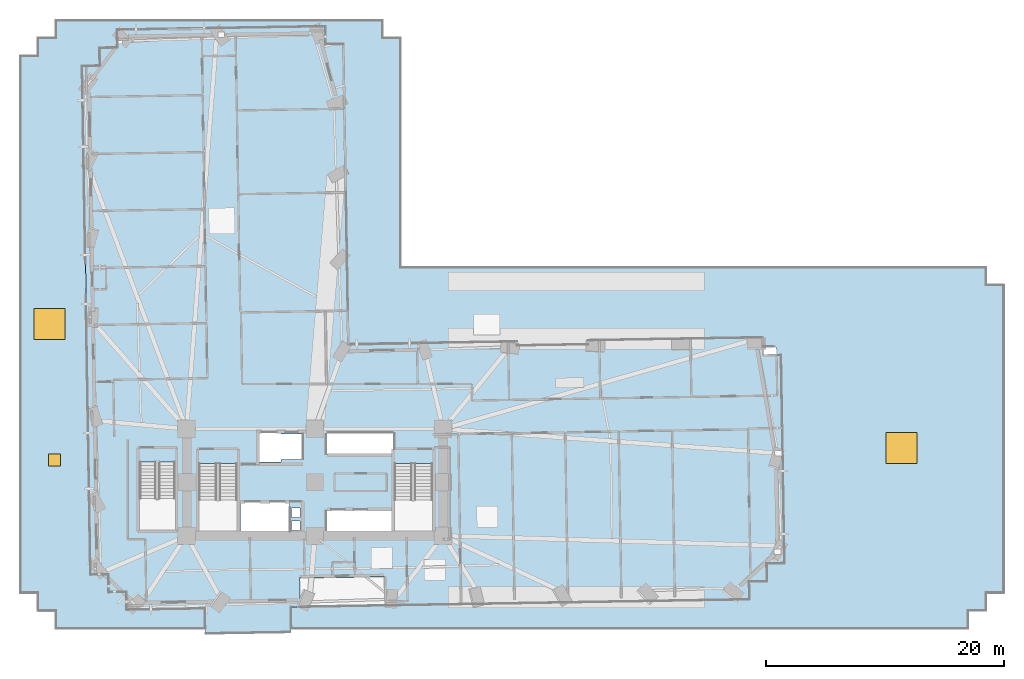
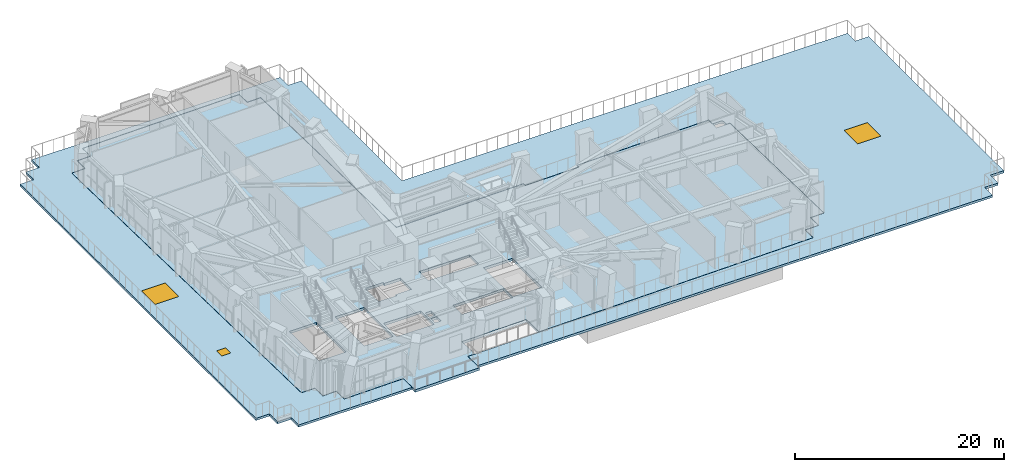
# One storey, part 4 of 17: 2 slabs, 2 windows, 1 door, 3 openings.
"""IFC4 building model written with IfcOpenShell, lengths in metres."""

from ifc_helpers import new_model, si_unit, direction, frame, origin, origin_2d, place, context, subcontext, project, spatial, polyline, rectangle, outline, extrude, material, layer, layer_set, type_object, element, fill, save


model = new_model("IFC4")

# Units and contexts
model_context = context("Model", 3, precision=1e-05, world=origin(), true_north=direction((0.0, 1.0)))
body_context = subcontext(model_context, "Body", "Model", "MODEL_VIEW")
ifc_project = project(units=[si_unit("LENGTHUNIT", "METRE"), si_unit("AREAUNIT", "SQUARE_METRE"), si_unit("VOLUMEUNIT", "CUBIC_METRE"), si_unit("PLANEANGLEUNIT", "RADIAN"), si_unit("MASSUNIT", "GRAM", prefix="KILO")], contexts=[model_context])

# Site, building, storey
site_placement = place(None, origin())
site = spatial("IfcSite", under=ifc_project, at=site_placement, CompositionType="ELEMENT")
building_placement = place(site_placement, origin())
building = spatial("IfcBuilding", under=site, at=building_placement, Name="Gaonmaruhae Medical Tower", CompositionType="ELEMENT")
storey_placement = place(building_placement, frame((0.0, 0.0, 27.0)))
storey = spatial("IfcBuildingStorey", under=building, at=storey_placement, Name="L05", CompositionType="ELEMENT", Elevation=27.0)

# Slab
ifc_material_1 = material(Name="Concrete C40/50", Category="concrete")
ifc_layer_1 = layer(ifc_material_1, 0.300048828125)
ifc_layer_set_1 = layer_set([ifc_layer_1], Name="Concrete C40/50")
slab_type_1 = type_object("IfcSlabType", Name="FS-300 Refuge & Plant Heavy Floor Slab", PredefinedType="FLOOR", material=ifc_layer_set_1)
slab_1_placement = place(storey_placement, frame((0.0, 0.0, -0.300048828125)))
element("IfcSlab", 1, at=slab_1_placement, inside=storey, type_object=slab_type_1, Name="L05 Structural Slab 1", PredefinedType="FLOOR", context=body_context, shape_type="SweptSolid", body=[
    extrude(outline(polyline([(64.033935546875, 23.00439453125), (64.32421875, 5.506591796875), (62.82421875, 5.48193359375), (62.84912109375, 3.982177734375), (61.349365234375, 3.957275390625), (61.374267578125, 2.45751953125), (30.764404296875, 1.94970703125), (30.724609375, 4.349609375), (23.525634765625, 4.22998046875), (23.5654296875, 1.83056640625), (22.765625, 1.817138671875), (22.802001953125, -0.382568359375), (15.60302734375, -0.501953125), (15.566650390625, 1.69775390625), (8.9814453125, 1.588623046875), (8.95654296875, 3.08837890625), (7.456787109375, 3.063720703125), (7.431884765625, 4.5634765625), (5.93212890625, 4.53857421875), (5.222412109375, 47.33251953125), (6.722412109375, 47.357421875), (6.697509765625, 48.857421875), (8.197265625, 48.882080078125), (8.17236328125, 50.3818359375), (25.669921875, 50.672119140625), (25.69482421875, 49.17236328125), (27.194580078125, 49.197265625), (27.614013671875, 23.900634765625), (41.81201171875, 24.135986328125), (41.81787109375, 23.796142578125), (47.81689453125, 23.8955078125), (47.811279296875, 24.235595703125), (62.50927734375, 24.479248046875), (62.5341796875, 22.9794921875), (64.033935546875, 23.00439453125)]), holes=[polyline([(23.550048828125, 8.25), (22.85009765625, 8.25), (22.85009765625, 9.050048828125), (23.550048828125, 9.050048828125), (23.550048828125, 8.25)]), polyline([(25.824951171875, 9.925048828125), (31.425048828125, 9.925048828125), (31.425048828125, 8.175048828125), (25.824951171875, 8.175048828125), (25.824951171875, 9.925048828125)]), polyline([(22.64990234375, 10.625), (22.64990234375, 8.074951171875), (18.550048828125, 8.074951171875), (18.550048828125, 10.625), (22.64990234375, 10.625)]), polyline([(23.550048828125, 9.35009765625), (22.85009765625, 9.35009765625), (22.85009765625, 10.14990234375), (23.550048828125, 10.14990234375), (23.550048828125, 9.35009765625)]), polyline([(15.050048828125, 13.889892578125), (18.25, 13.889892578125), (18.25, 8.300048828125), (15.050048828125, 8.300048828125), (15.050048828125, 13.889892578125)]), polyline([(31.5, 13.889892578125), (34.699951171875, 13.889892578125), (34.699951171875, 8.300048828125), (31.5, 8.300048828125), (31.5, 13.889892578125)]), polyline([(10.050048828125, 13.989990234375), (13.050048828125, 13.989990234375), (13.050048828125, 8.300048828125), (10.050048828125, 8.300048828125), (10.050048828125, 13.989990234375)]), polyline([(21.949951171875, 14.02490234375), (19.949951171875, 14.02490234375), (19.949951171875, 16.574951171875), (21.949951171875, 16.574951171875), (21.949951171875, 16.375), (23.72509765625, 16.375), (23.72509765625, 14.22509765625), (21.949951171875, 14.22509765625), (21.949951171875, 14.02490234375)]), polyline([(31.425048828125, 16.425048828125), (31.425048828125, 14.675048828125), (25.824951171875, 14.675048828125), (25.824951171875, 16.425048828125), (31.425048828125, 16.425048828125)])]), origin(), (0.0, 0.0, 1.0), 0.300048828125),
])

# Slab, openings, door, windows
ifc_layer_2 = layer(ifc_material_1, 0.260009765625)
ifc_layer_set_2 = layer_set([ifc_layer_2], Name="Concrete C40/50")
slab_type_2 = type_object("IfcSlabType", Name="RS-260 Shelter & Setback Roof Slab", PredefinedType="ROOF", material=ifc_layer_set_2)
slab_2_placement = place(storey_placement, frame((0.0, 0.0, -0.260009765625)))
slab_2 = element("IfcSlab", 2, at=slab_2_placement, inside=storey, type_object=slab_type_2, Name="Podium Roof Terrace Slab 1", PredefinedType="ROOF", context=body_context, shape_type="SweptSolid", body=[
    extrude(outline(polyline([(3.0, 1.5), (1.5, 1.5), (1.5, 3.0), (0.0, 3.0), (0.0, 48.199951171875), (1.5, 48.199951171875), (1.5, 49.699951171875), (3.0, 49.699951171875), (3.0, 51.199951171875), (30.5, 51.199951171875), (30.5, 49.699951171875), (32.0, 49.699951171875), (32.0, 30.39990234375), (81.300048828125, 30.39990234375), (81.300048828125, 28.89990234375), (82.800048828125, 28.89990234375), (82.800048828125, 3.0), (81.300048828125, 3.0), (81.300048828125, 1.5), (79.800048828125, 1.5), (79.800048828125, 0.0), (22.815673828125, 0.0), (22.785888671875, 1.797607421875), (23.56591796875, 1.810546875), (30.764892578125, 1.9296875), (61.37451171875, 2.4375), (61.37646484375, 2.4375), (61.37841796875, 2.43798828125), (61.38037109375, 2.4384765625), (61.382080078125, 2.439208984375), (61.384033203125, 2.43994140625), (61.385498046875, 2.44091796875), (61.38720703125, 2.442138671875), (61.388671875, 2.443603515625), (61.389892578125, 2.445068359375), (61.39111328125, 2.446533203125), (61.39208984375, 2.4482421875), (61.392822265625, 2.4501953125), (61.3935546875, 2.451904296875), (61.393798828125, 2.453857421875), (61.394287109375, 2.455810546875), (61.394287109375, 2.457763671875), (61.36962890625, 3.9375), (62.849609375, 3.962158203125), (62.8515625, 3.962158203125), (62.853515625, 3.96240234375), (62.855224609375, 3.962890625), (62.857177734375, 3.963623046875), (62.85888671875, 3.964599609375), (62.860595703125, 3.965576171875), (62.862060546875, 3.966796875), (62.863525390625, 3.96826171875), (62.86474609375, 3.9697265625), (62.865966796875, 3.97119140625), (62.866943359375, 3.972900390625), (62.867919921875, 3.974609375), (62.868408203125, 3.9765625), (62.868896484375, 3.978515625), (62.869140625, 3.98046875), (62.869140625, 3.982421875), (62.844482421875, 5.462158203125), (64.324462890625, 5.48681640625), (64.326416015625, 5.48681640625), (64.328369140625, 5.4873046875), (64.330078125, 5.48779296875), (64.33203125, 5.48828125), (64.333740234375, 5.4892578125), (64.33544921875, 5.490234375), (64.3369140625, 5.491455078125), (64.33837890625, 5.492919921875), (64.33984375, 5.494384765625), (64.3408203125, 5.495849609375), (64.341796875, 5.49755859375), (64.3427734375, 5.49951171875), (64.34326171875, 5.501220703125), (64.34375, 5.503173828125), (64.343994140625, 5.505126953125), (64.343994140625, 5.507080078125), (64.053955078125, 23.004638671875), (64.0537109375, 23.006591796875), (64.053466796875, 23.008544921875), (64.052978515625, 23.010498046875), (64.05224609375, 23.01220703125), (64.051513671875, 23.01416015625), (64.05029296875, 23.015625), (64.04931640625, 23.017333984375), (64.0478515625, 23.018798828125), (64.04638671875, 23.02001953125), (64.044921875, 23.021240234375), (64.043212890625, 23.022216796875), (64.041259765625, 23.02294921875), (64.039306640625, 23.023681640625), (64.03759765625, 23.02392578125), (64.03564453125, 23.0244140625), (64.03369140625, 23.0244140625), (63.64990234375, 23.01806640625), (63.64990234375, 23.5), (63.648681640625, 23.5244140625), (63.645263671875, 23.548828125), (63.63916015625, 23.572509765625), (63.631103515625, 23.595703125), (63.62060546875, 23.617919921875), (63.60791015625, 23.638916015625), (63.59326171875, 23.65869140625), (63.576904296875, 23.6767578125), (63.55859375, 23.693359375), (63.538818359375, 23.7080078125), (63.517822265625, 23.720458984375), (63.49560546875, 23.73095703125), (63.47265625, 23.7392578125), (63.44873046875, 23.7451171875), (63.424560546875, 23.748779296875), (63.39990234375, 23.75), (62.54150390625, 23.75), (62.529296875, 24.4794921875), (62.529296875, 24.481689453125), (62.52880859375, 24.4833984375), (62.5283203125, 24.4853515625), (62.527587890625, 24.4873046875), (62.52685546875, 24.489013671875), (62.525634765625, 24.49072265625), (62.5244140625, 24.4921875), (62.523193359375, 24.49365234375), (62.521728515625, 24.494873046875), (62.52001953125, 24.49609375), (62.518310546875, 24.4970703125), (62.5166015625, 24.497802734375), (62.514892578125, 24.49853515625), (62.512939453125, 24.498779296875), (62.510986328125, 24.499267578125), (62.509033203125, 24.499267578125), (47.81103515625, 24.255615234375), (47.80908203125, 24.25537109375), (47.80712890625, 24.255126953125), (47.80517578125, 24.254638671875), (47.803466796875, 24.25390625), (47.801513671875, 24.2529296875), (47.7998046875, 24.251953125), (47.79833984375, 24.250732421875), (47.796875, 24.24951171875), (47.795654296875, 24.248046875), (47.79443359375, 24.246337890625), (47.79345703125, 24.24462890625), (47.792724609375, 24.242919921875), (47.7919921875, 24.240966796875), (47.79150390625, 24.239013671875), (47.79150390625, 24.2373046875), (47.791259765625, 24.235107421875), (47.796630859375, 23.915283203125), (41.83740234375, 23.81640625), (41.83203125, 24.136474609375), (41.83203125, 24.138427734375), (41.831787109375, 24.140380859375), (41.831298828125, 24.14208984375), (41.83056640625, 24.14404296875), (41.82958984375, 24.145751953125), (41.82861328125, 24.1474609375), (41.827392578125, 24.14892578125), (41.825927734375, 24.150390625), (41.82470703125, 24.151611328125), (41.822998046875, 24.15283203125), (41.8212890625, 24.15380859375), (41.819580078125, 24.15478515625), (41.817626953125, 24.1552734375), (41.815673828125, 24.15576171875), (41.813720703125, 24.156005859375), (41.811767578125, 24.156005859375), (27.6337890625, 23.9208984375), (27.214599609375, 49.197509765625), (27.214599609375, 49.199462890625), (27.214111328125, 49.201416015625), (27.213623046875, 49.203369140625), (27.212890625, 49.205078125), (27.212158203125, 49.206787109375), (27.211181640625, 49.20849609375), (27.2099609375, 49.210205078125), (27.20849609375, 49.21142578125), (27.20703125, 49.212890625), (27.20556640625, 49.214111328125), (27.203857421875, 49.21484375), (27.201904296875, 49.2158203125), (27.2001953125, 49.21630859375), (27.1982421875, 49.216796875), (27.1962890625, 49.217041015625), (27.1943359375, 49.21728515625), (25.714599609375, 49.192626953125), (25.68994140625, 50.67236328125), (25.689697265625, 50.67431640625), (25.689453125, 50.67626953125), (25.68896484375, 50.67822265625), (25.688232421875, 50.679931640625), (25.6875, 50.681884765625), (25.686279296875, 50.68359375), (25.685302734375, 50.68505859375), (25.683837890625, 50.6865234375), (25.682373046875, 50.687744140625), (25.680908203125, 50.68896484375), (25.67919921875, 50.68994140625), (25.67724609375, 50.690673828125), (25.67529296875, 50.69140625), (25.673583984375, 50.69189453125), (25.671630859375, 50.69189453125), (25.669677734375, 50.692138671875), (8.172119140625, 50.40185546875), (8.170166015625, 50.40185546875), (8.168212890625, 50.401611328125), (8.166259765625, 50.40087890625), (8.164306640625, 50.400390625), (8.16259765625, 50.3994140625), (8.160888671875, 50.3984375), (8.159423828125, 50.397216796875), (8.157958984375, 50.395751953125), (8.15673828125, 50.394287109375), (8.155517578125, 50.392822265625), (8.154541015625, 50.39111328125), (8.15380859375, 50.389404296875), (8.153076171875, 50.387451171875), (8.152587890625, 50.385498046875), (8.15234375, 50.383544921875), (8.15234375, 50.381591796875), (8.177001953125, 48.90185546875), (6.697021484375, 48.877197265625), (6.695068359375, 48.877197265625), (6.693115234375, 48.876708984375), (6.69140625, 48.876220703125), (6.689453125, 48.87548828125), (6.687744140625, 48.874755859375), (6.68603515625, 48.873779296875), (6.6845703125, 48.87255859375), (6.68310546875, 48.87109375), (6.681884765625, 48.86962890625), (6.6806640625, 48.8681640625), (6.6796875, 48.866455078125), (6.6787109375, 48.864501953125), (6.67822265625, 48.86279296875), (6.677734375, 48.86083984375), (6.677490234375, 48.85888671875), (6.677490234375, 48.85693359375), (6.701904296875, 47.377197265625), (5.22216796875, 47.3525390625), (5.22021484375, 47.3525390625), (5.21826171875, 47.352294921875), (5.21630859375, 47.3515625), (5.214599609375, 47.35107421875), (5.212890625, 47.35009765625), (5.211181640625, 47.34912109375), (5.209716796875, 47.347900390625), (5.2080078125, 47.346435546875), (5.206787109375, 47.344970703125), (5.205810546875, 47.343505859375), (5.20458984375, 47.341796875), (5.203857421875, 47.33984375), (5.203369140625, 47.338134765625), (5.202880859375, 47.336181640625), (5.20263671875, 47.334228515625), (5.202392578125, 47.332275390625), (5.912109375, 4.5380859375), (5.912353515625, 4.5361328125), (5.91259765625, 4.5341796875), (5.9130859375, 4.532470703125), (5.913818359375, 4.530517578125), (5.914794921875, 4.52880859375), (5.915771484375, 4.527099609375), (5.9169921875, 4.525390625), (5.918212890625, 4.524169921875), (5.919677734375, 4.522705078125), (5.92138671875, 4.521728515625), (5.923095703125, 4.520751953125), (5.9248046875, 4.52001953125), (5.926513671875, 4.519287109375), (5.9287109375, 4.518798828125), (5.930419921875, 4.5185546875), (5.9326171875, 4.5185546875), (7.412353515625, 4.54296875), (7.436767578125, 3.063232421875), (7.43701171875, 3.061279296875), (7.437255859375, 3.059326171875), (7.437744140625, 3.057373046875), (7.4384765625, 3.0556640625), (7.439208984375, 3.0537109375), (7.4404296875, 3.05224609375), (7.44140625, 3.050537109375), (7.44287109375, 3.04931640625), (7.4443359375, 3.0478515625), (7.446044921875, 3.046630859375), (7.44775390625, 3.0458984375), (7.449462890625, 3.044921875), (7.451416015625, 3.044189453125), (7.453125, 3.0439453125), (7.455078125, 3.043701171875), (7.45703125, 3.043701171875), (8.93701171875, 3.068115234375), (8.96142578125, 1.58837890625), (8.961669921875, 1.586181640625), (8.9619140625, 1.58447265625), (8.96240234375, 1.58251953125), (8.963134765625, 1.580810546875), (8.964111328125, 1.578857421875), (8.965087890625, 1.577392578125), (8.96630859375, 1.57568359375), (8.967529296875, 1.57421875), (8.968994140625, 1.572998046875), (8.970703125, 1.57177734375), (8.972412109375, 1.57080078125), (8.97412109375, 1.570068359375), (8.97607421875, 1.5693359375), (8.977783203125, 1.569091796875), (8.979736328125, 1.568603515625), (8.981689453125, 1.568603515625), (15.546875, 1.677490234375), (15.57470703125, 0.0), (3.0, 0.0), (3.0, 1.5)])), origin(), (0.0, 0.0, 1.0), 0.260009765625),
])
opening_1_placement = place(slab_2_placement, frame((2.47412109375, 25.6376953125, 0.0)))
opening_1 = element("IfcOpeningElement", 3, at=opening_1_placement, cuts=slab_2, Name="Opening SK-01", PredefinedType="OPENING", context=body_context, shape_type="SweptSolid", body=[
    extrude(rectangle(XDim=2.60009765625, YDim=2.60009765625, at=origin_2d()), frame((0.0, 0.0, -0.010009765625)), (0.0, 0.0, 1.0), 0.280029296875),
])
opening_2_placement = place(slab_2_placement, frame((74.199951171875, 15.199951171875, 0.0)))
opening_2 = element("IfcOpeningElement", 4, at=opening_2_placement, cuts=slab_2, Name="Opening SK-01", PredefinedType="OPENING", context=body_context, shape_type="SweptSolid", body=[
    extrude(rectangle(XDim=2.60009765625, YDim=2.60009765625, at=origin_2d()), frame((0.0, 0.0, -0.010009765625)), (0.0, 0.0, 1.0), 0.280029296875),
])
opening_3_placement = place(slab_2_placement, frame((2.876220703125, 14.16845703125, 0.0)))
opening_3 = element("IfcOpeningElement", 5, at=opening_3_placement, cuts=slab_2, Name="Opening HT-01", PredefinedType="OPENING", context=body_context, shape_type="SweptSolid", body=[
    extrude(rectangle(XDim=1.0, YDim=1.0, at=origin_2d()), frame((0.0, 0.0, -0.010009765625)), (0.0, 0.0, 1.0), 0.280029296875),
])
ifc_material_2 = material(Name="Powder-coated steel access hatch", Category="steel")
door_type = type_object("IfcDoorType", Name="HT-01 Insulated Roof & Terrace Access Hatch 1000x1000", OperationType="NOTDEFINED", PredefinedType="TRAPDOOR", material=ifc_material_2)
door_placement = place(opening_3_placement, frame((0.0, 0.0, 0.219970703125)))
door = element("IfcDoor", 6, at=door_placement, inside=storey, type_object=door_type, Name="L05 Terrace Maintenance Access Hatch SLB-L05-PODROOF1", OperationType="SINGLE_SWING_LEFT", OverallHeight=1.0, OverallWidth=1.0, PredefinedType="TRAPDOOR", context=body_context, shape_type="SweptSolid", body=[
    extrude(rectangle(XDim=1.0, YDim=1.0, at=origin_2d()), origin(), (0.0, 0.0, 1.0), 0.0400390625),
])
fill(opening_3, door)
ifc_material_3 = material(Name="Anodised aluminium and Low-E double glazing", Category="aluminium")
window_type = type_object("IfcWindowType", Name="SK-01 Podium Atrium Insulated Skylight 2600x2600", PartitioningType="SINGLE_PANEL", PredefinedType="SKYLIGHT", material=ifc_material_3)
window_1_placement = place(opening_1_placement, frame((0.0, 0.0, 0.219970703125)))
window_1 = element("IfcWindow", 7, at=window_1_placement, inside=storey, type_object=window_type, Name="L05 Daylighting Skylight SLB-L05-PODROOF1", OverallHeight=2.60009765625, OverallWidth=2.60009765625, PartitioningType="SINGLE_PANEL", PredefinedType="SKYLIGHT", context=body_context, shape_type="SweptSolid", body=[
    extrude(rectangle(XDim=2.60009765625, YDim=2.60009765625, at=origin_2d()), origin(), (0.0, 0.0, 1.0), 0.0400390625),
])
fill(opening_1, window_1)
window_2_placement = place(opening_2_placement, frame((0.0, 0.0, 0.219970703125)))
window_2 = element("IfcWindow", 8, at=window_2_placement, inside=storey, type_object=window_type, Name="L05 Daylighting Skylight SLB-L05-PODROOF1-3", OverallHeight=2.60009765625, OverallWidth=2.60009765625, PartitioningType="SINGLE_PANEL", PredefinedType="SKYLIGHT", context=body_context, shape_type="SweptSolid", body=[
    extrude(rectangle(XDim=2.60009765625, YDim=2.60009765625, at=origin_2d()), origin(), (0.0, 0.0, 1.0), 0.0400390625),
])
fill(opening_2, window_2)

save(model, "model.ifc")
